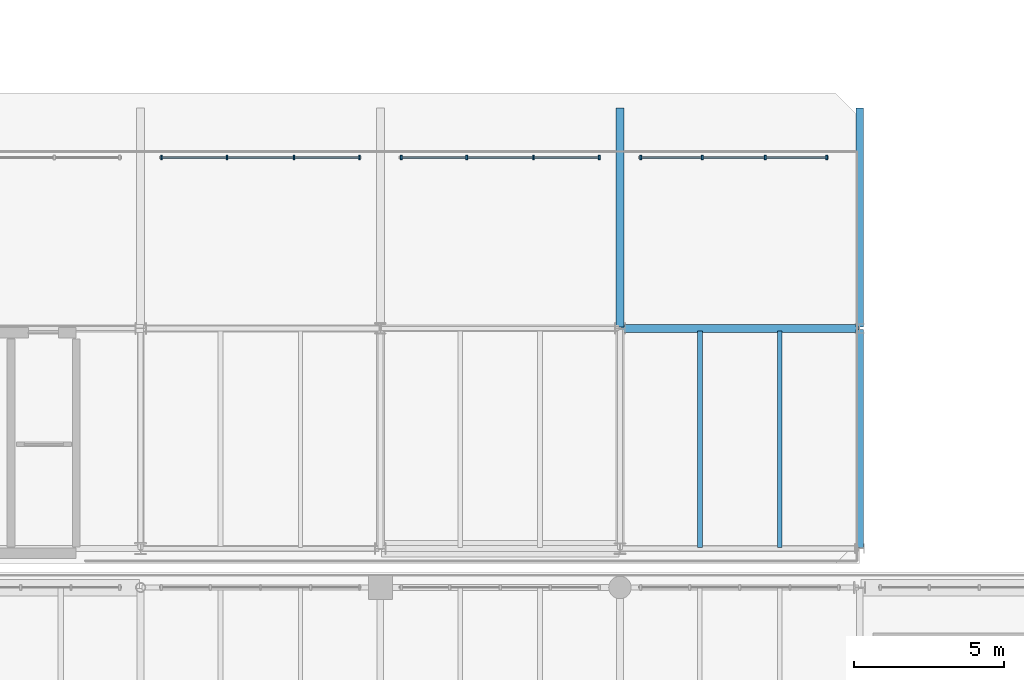
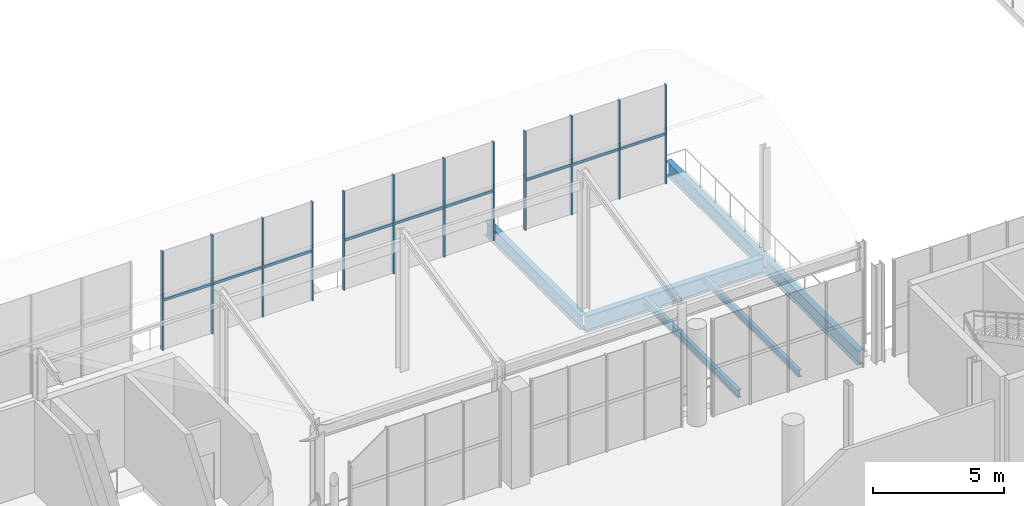
# One storey, part 35 of 70: 21 members, 6 beams, 3 elements without a shape of their own.
"""IFC4 building model written with IfcOpenShell, lengths in metres."""

import ifcopenshell
import ifcopenshell.guid

model = None  # the IFC model being written
_history = None  # IfcOwnerHistory: only IFC2X3 demands one
_inside = {}  # id of a spatial element -> (the spatial element, [elements in it])
_under = {}  # id of a project, library or spatial element -> (it, [spatial elements below it])
_declared = {}  # id of a project -> (the project, [libraries it declares])
_typed = {}  # id of a type object -> (the type object, [elements of that type])
_made_of = {}  # id of a material, layer set ... -> (it, [elements and type objects made of it])


def new_model(schema):
    """Start an empty IFC model of exactly this schema.

    Asked for "IFC4X3", IfcOpenShell would pick the latest addendum, in which some entities
    have other attributes; the version numbers below select the first issue.
    IFC2X3 requires an IfcOwnerHistory on every rooted entity: one is made here for all.
    """
    global model, _history
    if schema == "IFC4X3":
        model = ifcopenshell.file(schema_version=(4, 3, 0, 0))
    else:
        model = ifcopenshell.file(schema=schema)
    _inside.clear()
    _under.clear()
    _declared.clear()
    _typed.clear()
    _made_of.clear()
    _history = None
    if model.schema == "IFC2X3":
        org = make("IfcOrganization", Name="unknown")
        user = make(
            "IfcPersonAndOrganization",
            ThePerson=make("IfcPerson", FamilyName="unknown"),
            TheOrganization=org,
        )
        app = make(
            "IfcApplication",
            ApplicationDeveloper=org,
            Version="unknown",
            ApplicationFullName="unknown",
            ApplicationIdentifier="unknown",
        )
        _history = make(
            "IfcOwnerHistory",
            OwningUser=user,
            OwningApplication=app,
            ChangeAction="ADDED",
            CreationDate=0,
        )
    return model


def make(cls, **values):
    """One entity of the class cls with the attributes given. An attribute that is None is left unset."""
    return model.create_entity(
        cls, **{name: value for name, value in values.items() if value is not None}
    )


def rooted(cls, **values):
    """An entity with a GlobalId (a new one), such as an element, a storey or a relation."""
    return make(cls, GlobalId=ifcopenshell.guid.new(), OwnerHistory=_history, **values)


def si_unit(unit_type, name, prefix=None):
    """IfcSIUnit, for example si_unit("LENGTHUNIT", "METRE", prefix="MILLI")."""
    return make("IfcSIUnit", UnitType=unit_type, Prefix=prefix, Name=name)


def assignment(units):
    """IfcUnitAssignment: the units of a project."""
    return None if units is None else make("IfcUnitAssignment", Units=units)


def point(xyz):
    """IfcCartesianPoint."""
    return None if xyz is None else make("IfcCartesianPoint", Coordinates=xyz)


def direction(xyz):
    """IfcDirection."""
    return None if xyz is None else make("IfcDirection", DirectionRatios=xyz)


def frame(location, z_axis=None, x_axis=None):
    """IfcAxis2Placement3D, a coordinate frame: its origin and axes. An axis left out is left unset."""
    return make(
        "IfcAxis2Placement3D",
        Location=point(location),
        Axis=direction(z_axis),
        RefDirection=direction(x_axis),
    )


def frame_2d(location, x_axis=None):
    """IfcAxis2Placement2D, a coordinate frame in the plane: its origin and x axis."""
    return make(
        "IfcAxis2Placement2D", Location=point(location), RefDirection=direction(x_axis)
    )


def origin():
    """The frame at (0, 0, 0) with its axes left unset."""
    return frame((0.0, 0.0, 0.0))


def origin_2d():
    """The frame at (0, 0) in the plane with its x axis left unset."""
    return frame_2d((0.0, 0.0))


def place(relative_to, where):
    """IfcLocalPlacement: puts the frame where relative to a parent placement (None: the world)."""
    return make(
        "IfcLocalPlacement", PlacementRelTo=relative_to, RelativePlacement=where
    )


def context(
    kind, dimensions, precision=None, world=None, true_north=None, identifier=None
):
    """IfcGeometricRepresentationContext, for example the 3D "Model" context."""
    return make(
        "IfcGeometricRepresentationContext",
        ContextIdentifier=identifier,
        ContextType=kind,
        CoordinateSpaceDimension=dimensions,
        Precision=precision,
        WorldCoordinateSystem=world,
        TrueNorth=true_north,
    )


def subcontext(parent, identifier, kind, view, scale=None):
    """IfcGeometricRepresentationSubContext, for example "Body" below "Model"."""
    return make(
        "IfcGeometricRepresentationSubContext",
        ContextIdentifier=identifier,
        ContextType=kind,
        ParentContext=parent,
        TargetScale=scale,
        TargetView=view,
    )


def project(units=None, contexts=None):
    """IfcProject with its units and contexts."""
    return rooted(
        "IfcProject",
        Name="project",
        RepresentationContexts=contexts,
        UnitsInContext=assignment(units),
    )


def spatial(cls, under=None, at=None, **own):
    """A site, building, storey or space (cls), placed at a placement, below another one or the project."""
    s = rooted(cls, ObjectPlacement=at, **own)
    if under is not None:
        _under.setdefault(under.id(), (under, []))[1].append(s)
    return s


def profile(cls, at=None, kind="AREA", **sizes):
    """A parametric profile (cls). Its sizes go by their IFC names, for example OverallWidth=200.0."""
    return make(cls, ProfileType=kind, Position=at, **sizes)


def rectangle(**sizes):
    """IfcRectangleProfileDef."""
    return profile("IfcRectangleProfileDef", **sizes)


def i_section(**sizes):
    """IfcIShapeProfileDef."""
    return profile("IfcIShapeProfileDef", **sizes)


def extrude(swept, where, along, depth):
    """IfcExtrudedAreaSolid: the profile swept, set in the frame where, extruded along a direction by depth."""
    return make(
        "IfcExtrudedAreaSolid",
        SweptArea=swept,
        Position=where,
        ExtrudedDirection=direction(along),
        Depth=depth,
    )


def shape(context_of_items, identifier, shape_type, items):
    """IfcShapeRepresentation: the items that make up one representation, for example the "Body"."""
    return make(
        "IfcShapeRepresentation",
        ContextOfItems=context_of_items,
        RepresentationIdentifier=identifier,
        RepresentationType=shape_type,
        Items=items,
    )


def material(Name=None, Category=None):
    """IfcMaterial."""
    return make("IfcMaterial", Name=Name, Category=Category)


def material_profile(
    of_material, cross_section, Name=None, Category=None, Priority=None
):
    """IfcMaterialProfile: a cross section and its material."""
    return make(
        "IfcMaterialProfile",
        Name=Name,
        Material=of_material,
        Profile=cross_section,
        Priority=Priority,
        Category=Category,
    )


def profile_set(profiles, Name=None, composite=None):
    """IfcMaterialProfileSet."""
    return make(
        "IfcMaterialProfileSet",
        Name=Name,
        MaterialProfiles=profiles,
        CompositeProfile=composite,
    )


def made_of(thing, what):
    """Note that an element or type object is made of a material, layer set ...; save() writes the relation."""
    if what is not None:
        _made_of.setdefault(what.id(), (what, []))[1].append(thing)
    return thing


def type_object(cls, material=None, **own):
    """A type object (cls), such as IfcWallType, which elements share."""
    return made_of(rooted(cls, **own), material)


def element(
    cls,
    number,
    at=None,
    inside=None,
    cuts=None,
    type_object=None,
    material=None,
    context=None,
    identifier="Body",
    shape_type=None,
    held_by="IfcProductDefinitionShape",
    body=None,
    shapes=None,
    **own,
):
    """One element of the class cls, such as IfcWall. Its Tag is "e" and its number.

    at: its placement. inside: the storey or other place that contains it. cuts: it is an
    opening in that element (IfcRelVoidsElement). A single representation is given by context,
    identifier, shape_type and body (its items); several are given by shapes. held_by: the class
    of the entity that holds the representations. save() writes the other relations.
    """
    e = rooted(cls, Tag="e%d" % number, ObjectPlacement=at, **own)
    if body is not None:
        shapes = [shape(context, identifier, shape_type, body)]
    if shapes is not None:
        e.Representation = make(held_by, Representations=shapes)
    if inside is not None:
        _inside.setdefault(inside.id(), (inside, []))[1].append(e)
    if cuts is not None:
        rooted(
            "IfcRelVoidsElement", RelatingBuildingElement=cuts, RelatedOpeningElement=e
        )
    if type_object is not None:
        _typed.setdefault(type_object.id(), (type_object, []))[1].append(e)
    return made_of(e, material)


def aggregate(whole, parts):
    """IfcRelAggregates: a whole, such as a stair, and the parts it consists of."""
    return rooted("IfcRelAggregates", RelatingObject=whole, RelatedObjects=parts)


def save(model, path):
    """Write the relations noted so far, then the file.

    IfcRelAggregates (storeys below a building ...), IfcRelContainedInSpatialStructure (elements
    in a storey), IfcRelDefinesByType, IfcRelAssociatesMaterial and IfcRelDeclares: one each for
    every whole, place, type object, material and project.
    """
    for whole, parts in _under.values():
        aggregate(whole, parts)
    for where, things in _inside.values():
        rooted(
            "IfcRelContainedInSpatialStructure",
            RelatedElements=things,
            RelatingStructure=where,
        )
    for kind, things in _typed.values():
        rooted("IfcRelDefinesByType", RelatedObjects=things, RelatingType=kind)
    for what, things in _made_of.values():
        rooted("IfcRelAssociatesMaterial", RelatedObjects=things, RelatingMaterial=what)
    for by, libraries in _declared.values():
        rooted("IfcRelDeclares", RelatingContext=by, RelatedDefinitions=libraries)
    model.write(path)


model = new_model("IFC4")

# Units and contexts
model_context = context("Model", 3, precision=1e-05, world=origin(), true_north=direction((0.0, 1.0)))
body_context = subcontext(model_context, "Body", "Model", "MODEL_VIEW")
ifc_project = project(units=[si_unit("LENGTHUNIT", "METRE"), si_unit("AREAUNIT", "SQUARE_METRE"), si_unit("VOLUMEUNIT", "CUBIC_METRE"), si_unit("PLANEANGLEUNIT", "RADIAN"), si_unit("MASSUNIT", "GRAM", prefix="KILO")], contexts=[model_context])

# Site, building, storey
site_placement = place(None, origin())
site = spatial("IfcSite", under=ifc_project, at=site_placement, CompositionType="ELEMENT")
building_placement = place(site_placement, origin())
building = spatial("IfcBuilding", under=site, at=building_placement, Name="Brisemont Oceanarium", CompositionType="ELEMENT")
storey_placement = place(building_placement, frame((0.0, 0.0, 10.199951171875)))
storey = spatial("IfcBuildingStorey", under=building, at=storey_placement, Name="L02", CompositionType="ELEMENT", Elevation=10.199951171875)

# Beams
ifc_material_1 = material(Name="Structural Steel ASTM A992 Gr.50", Category="steel")
ifc_material_profile_1 = material_profile(ifc_material_1, i_section(OverallWidth=0.1650390625, OverallDepth=0.31005859375, WebThickness=0.005859375, FlangeThickness=0.009765625, FilletRadius=0.008056640625, at=origin_2d()), Name="W12X26")
ifc_profile_set_1 = profile_set([ifc_material_profile_1], Name="Structural Steel ASTM A992 Gr.50")
beam_type_1 = type_object("IfcBeamType", Name="BM-W12X26", PredefinedType="JOIST", material=ifc_profile_set_1)
beam_1_placement = place(storey_placement, frame((93.333251953125, 80.68994140625, -0.454833984375), z_axis=(0.0, 1.0, 0.0), x_axis=(-1.0, 0.0, 0.0)))
element("IfcBeam", 1, at=beam_1_placement, inside=storey, type_object=beam_type_1, Name="V7E L02 secondary floor beam", PredefinedType="JOIST", context=body_context, shape_type="SweptSolid", body=[
    extrude(i_section(OverallWidth=0.1650390625, OverallDepth=0.31005859375, WebThickness=0.005859375, FlangeThickness=0.009765625, FilletRadius=0.008056640625, at=origin_2d()), origin(), (0.0, 0.0, 1.0), 7.219970703125),
])
ifc_material_2 = material(Name="Structural Steel ASTM A992 Gr.50", Category="steel")
ifc_material_profile_2 = material_profile(ifc_material_2, i_section(OverallWidth=0.1708984375, OverallDepth=0.35107421875, WebThickness=0.0068359375, FlangeThickness=0.009765625, FilletRadius=0.010009765625, at=origin_2d()), Name="W14X30")
ifc_profile_set_2 = profile_set([ifc_material_profile_2], Name="Structural Steel ASTM A992 Gr.50")
beam_type_2 = type_object("IfcBeamType", Name="BM-W14X30", PredefinedType="JOIST", material=ifc_profile_set_2)
beam_2_placement = place(storey_placement, frame((90.666748046875, 80.68994140625, -0.475341796875), z_axis=(0.0, 1.0, 0.0), x_axis=(-1.0, 0.0, 0.0)))
element("IfcBeam", 2, at=beam_2_placement, inside=storey, type_object=beam_type_2, Name="V7E L02 secondary floor beam", PredefinedType="JOIST", context=body_context, shape_type="SweptSolid", body=[
    extrude(i_section(OverallWidth=0.1708984375, OverallDepth=0.35107421875, WebThickness=0.0068359375, FlangeThickness=0.009765625, FilletRadius=0.010009765625, at=origin_2d()), origin(), (0.0, 0.0, 1.0), 7.219970703125),
])
ifc_material_3 = material(Name="Structural Steel ASTM A992 Gr.50", Category="steel")
ifc_material_profile_3 = material_profile(ifc_material_3, i_section(OverallWidth=0.2529296875, OverallDepth=0.677978515625, WebThickness=0.01171875, FlangeThickness=0.016357421875, FilletRadius=0.014892578125, at=origin_2d()), Name="W27X84")
ifc_profile_set_3 = profile_set([ifc_material_profile_3], Name="Structural Steel ASTM A992 Gr.50")
beam_type_3 = type_object("IfcBeamType", Name="BM-W27X84", PredefinedType="BEAM", material=ifc_profile_set_3)
beam_3_placement = place(storey_placement, frame((96.0, 88.0400390625, -0.638916015625), z_axis=(0.0, 1.0, 0.0), x_axis=(-1.0, 0.0, 0.0)))
element("IfcBeam", 3, at=beam_3_placement, inside=storey, type_object=beam_type_3, Name="V7E L02 NS girder", PredefinedType="BEAM", context=body_context, shape_type="SweptSolid", body=[
    extrude(i_section(OverallWidth=0.2529296875, OverallDepth=0.677978515625, WebThickness=0.01171875, FlangeThickness=0.016357421875, FilletRadius=0.014892578125, at=origin_2d()), origin(), (0.0, 0.0, 1.0), 7.320068359375),
])
ifc_material_4 = material(Name="Structural Steel ASTM A992 Gr.50", Category="steel")
ifc_material_profile_4 = material_profile(ifc_material_4, i_section(OverallWidth=0.25390625, OverallDepth=0.68310546875, WebThickness=0.012451171875, FlangeThickness=0.018798828125, FilletRadius=0.014892578125, at=origin_2d()), Name="W27X94")
ifc_profile_set_4 = profile_set([ifc_material_profile_4], Name="Structural Steel ASTM A992 Gr.50")
beam_type_4 = type_object("IfcBeamType", Name="BM-W27X94", PredefinedType="BEAM", material=ifc_profile_set_4)
beam_4_placement = place(storey_placement, frame((88.0, 88.0400390625, -0.641357421875), z_axis=(0.0, 1.0, 0.0), x_axis=(-1.0, 0.0, 0.0)))
element("IfcBeam", 4, at=beam_4_placement, inside=storey, type_object=beam_type_4, Name="V7E L02 NS girder", PredefinedType="BEAM", context=body_context, shape_type="SweptSolid", body=[
    extrude(i_section(OverallWidth=0.25390625, OverallDepth=0.68310546875, WebThickness=0.012451171875, FlangeThickness=0.018798828125, FilletRadius=0.014892578125, at=origin_2d()), origin(), (0.0, 0.0, 1.0), 7.320068359375),
])
beam_5_placement = place(storey_placement, frame((96.0, 80.68994140625, -0.641357421875), z_axis=(0.0, 1.0, 0.0), x_axis=(-1.0, 0.0, 0.0)))
element("IfcBeam", 5, at=beam_5_placement, inside=storey, type_object=beam_type_4, Name="V7E L02 NS girder", PredefinedType="BEAM", context=body_context, shape_type="SweptSolid", body=[
    extrude(i_section(OverallWidth=0.25390625, OverallDepth=0.68310546875, WebThickness=0.012451171875, FlangeThickness=0.018798828125, FilletRadius=0.014892578125, at=origin_2d()), origin(), (0.0, 0.0, 1.0), 7.27001953125),
])
ifc_material_5 = material(Name="Structural Steel ASTM A992 Gr.50", Category="steel")
ifc_material_profile_5 = material_profile(ifc_material_5, i_section(OverallWidth=0.26708984375, OverallDepth=0.761962890625, WebThickness=0.014404296875, FlangeThickness=0.021484375, FilletRadius=0.01611328125, at=origin_2d()), Name="W30X116")
ifc_profile_set_5 = profile_set([ifc_material_profile_5], Name="Structural Steel ASTM A992 Gr.50")
beam_type_5 = type_object("IfcBeamType", Name="BM-W30X116", PredefinedType="BEAM", material=ifc_profile_set_5)
beam_6_placement = place(storey_placement, frame((88.0400390625, 88.0, -0.680908203125), z_axis=(1.0, 0.0, 0.0), x_axis=(0.0, 1.0, 0.0)))
element("IfcBeam", 6, at=beam_6_placement, inside=storey, type_object=beam_type_5, Name="V7E L02 EW girder", PredefinedType="BEAM", context=body_context, shape_type="SweptSolid", body=[
    extrude(i_section(OverallWidth=0.26708984375, OverallDepth=0.761962890625, WebThickness=0.014404296875, FlangeThickness=0.021484375, FilletRadius=0.01611328125, at=origin_2d()), origin(), (0.0, 0.0, 1.0), 7.919921875),
])

# Curtain wall, members
ifc_material_6 = material(Name="Anodized Extruded Aluminum 6063-T6", Category="aluminium")
curtain_wall_type = type_object("IfcCurtainWallType", Name="CW-CLR-48X34", PredefinedType="NOTDEFINED", material=ifc_material_6)
curtain_wall_1_placement = place(storey_placement, origin())
curtain_wall_1 = element("IfcCurtainWall", 7, at=curtain_wall_1_placement, inside=storey, type_object=curtain_wall_type, Name="CW-22 curtain wall CW-V7E-N-L02-03", PredefinedType="NOTDEFINED")
ifc_material_7 = material(Name="Anodized Extruded Aluminum 6063-T6", Category="aluminium")
ifc_material_profile_6 = material_profile(ifc_material_7, rectangle(XDim=0.06005859375, YDim=0.14990234375, at=origin_2d()), Name="CWM-60X150")
ifc_profile_set_6 = profile_set([ifc_material_profile_6], Name="Anodized Extruded Aluminum 6063-T6")
member_type_1 = type_object("IfcMemberType", Name="MEM-CWM-60", PredefinedType="MULLION", material=ifc_profile_set_6)
member_1_placement = place(storey_placement, frame((72.695068359375, 93.699951171875, 0.0), z_axis=(0.0, 0.0, 1.0), x_axis=(1.0, 0.0, 0.0)))
member_1 = element("IfcMember", 8, at=member_1_placement, type_object=member_type_1, Name="CW-V7E-N-L02-03 mullion 1", PredefinedType="MULLION", context=body_context, shape_type="SweptSolid", body=[
    extrude(rectangle(XDim=0.06005859375, YDim=0.14990234375, at=origin_2d()), origin(), (0.0, 0.0, 1.0), 4.60009765625),
])
member_2_placement = place(storey_placement, frame((74.88330078125, 93.699951171875, 0.0), z_axis=(0.0, 0.0, 1.0), x_axis=(1.0, 0.0, 0.0)))
member_2 = element("IfcMember", 9, at=member_2_placement, type_object=member_type_1, Name="CW-V7E-N-L02-03 mullion 2", PredefinedType="MULLION", context=body_context, shape_type="SweptSolid", body=[
    extrude(rectangle(XDim=0.06005859375, YDim=0.14990234375, at=origin_2d()), origin(), (0.0, 0.0, 1.0), 4.60009765625),
])
member_3_placement = place(storey_placement, frame((77.11669921875, 93.699951171875, 0.0), z_axis=(0.0, 0.0, 1.0), x_axis=(1.0, 0.0, 0.0)))
member_3 = element("IfcMember", 10, at=member_3_placement, type_object=member_type_1, Name="CW-V7E-N-L02-03 mullion 3", PredefinedType="MULLION", context=body_context, shape_type="SweptSolid", body=[
    extrude(rectangle(XDim=0.06005859375, YDim=0.14990234375, at=origin_2d()), origin(), (0.0, 0.0, 1.0), 4.60009765625),
])
member_4_placement = place(storey_placement, frame((79.304931640625, 93.699951171875, 0.0), z_axis=(0.0, 0.0, 1.0), x_axis=(1.0, 0.0, 0.0)))
member_4 = element("IfcMember", 11, at=member_4_placement, type_object=member_type_1, Name="CW-V7E-N-L02-03 mullion 4", PredefinedType="MULLION", context=body_context, shape_type="SweptSolid", body=[
    extrude(rectangle(XDim=0.06005859375, YDim=0.14990234375, at=origin_2d()), origin(), (0.0, 0.0, 1.0), 4.60009765625),
])

curtain_wall_2_placement = place(storey_placement, origin())
curtain_wall_2 = element("IfcCurtainWall", 12, at=curtain_wall_2_placement, inside=storey, type_object=curtain_wall_type, Name="CW-22 curtain wall CW-V7E-N-L02-04", PredefinedType="NOTDEFINED")
member_5_placement = place(storey_placement, frame((80.695068359375, 93.699951171875, 0.0), z_axis=(0.0, 0.0, 1.0), x_axis=(1.0, 0.0, 0.0)))
member_5 = element("IfcMember", 13, at=member_5_placement, type_object=member_type_1, Name="CW-V7E-N-L02-04 mullion 1", PredefinedType="MULLION", context=body_context, shape_type="SweptSolid", body=[
    extrude(rectangle(XDim=0.06005859375, YDim=0.14990234375, at=origin_2d()), origin(), (0.0, 0.0, 1.0), 4.60009765625),
])
member_6_placement = place(storey_placement, frame((82.88330078125, 93.699951171875, 0.0), z_axis=(0.0, 0.0, 1.0), x_axis=(1.0, 0.0, 0.0)))
member_6 = element("IfcMember", 14, at=member_6_placement, type_object=member_type_1, Name="CW-V7E-N-L02-04 mullion 2", PredefinedType="MULLION", context=body_context, shape_type="SweptSolid", body=[
    extrude(rectangle(XDim=0.06005859375, YDim=0.14990234375, at=origin_2d()), origin(), (0.0, 0.0, 1.0), 4.60009765625),
])
member_7_placement = place(storey_placement, frame((85.11669921875, 93.699951171875, 0.0), z_axis=(0.0, 0.0, 1.0), x_axis=(1.0, 0.0, 0.0)))
member_7 = element("IfcMember", 15, at=member_7_placement, type_object=member_type_1, Name="CW-V7E-N-L02-04 mullion 3", PredefinedType="MULLION", context=body_context, shape_type="SweptSolid", body=[
    extrude(rectangle(XDim=0.06005859375, YDim=0.14990234375, at=origin_2d()), origin(), (0.0, 0.0, 1.0), 4.60009765625),
])
member_8_placement = place(storey_placement, frame((87.304931640625, 93.699951171875, 0.0), z_axis=(0.0, 0.0, 1.0), x_axis=(1.0, 0.0, 0.0)))
member_8 = element("IfcMember", 16, at=member_8_placement, type_object=member_type_1, Name="CW-V7E-N-L02-04 mullion 4", PredefinedType="MULLION", context=body_context, shape_type="SweptSolid", body=[
    extrude(rectangle(XDim=0.06005859375, YDim=0.14990234375, at=origin_2d()), origin(), (0.0, 0.0, 1.0), 4.60009765625),
])

curtain_wall_3_placement = place(storey_placement, origin())
curtain_wall_3 = element("IfcCurtainWall", 17, at=curtain_wall_3_placement, inside=storey, type_object=curtain_wall_type, Name="CW-22 curtain wall CW-V7E-N-L02-05", PredefinedType="NOTDEFINED")
member_9_placement = place(storey_placement, frame((88.695068359375, 93.699951171875, 0.0), z_axis=(0.0, 0.0, 1.0), x_axis=(1.0, 0.0, 0.0)))
member_9 = element("IfcMember", 18, at=member_9_placement, type_object=member_type_1, Name="CW-V7E-N-L02-05 mullion 1", PredefinedType="MULLION", context=body_context, shape_type="SweptSolid", body=[
    extrude(rectangle(XDim=0.06005859375, YDim=0.14990234375, at=origin_2d()), origin(), (0.0, 0.0, 1.0), 4.60009765625),
])
member_10_placement = place(storey_placement, frame((90.75, 93.699951171875, 0.0), z_axis=(0.0, 0.0, 1.0), x_axis=(1.0, 0.0, 0.0)))
member_10 = element("IfcMember", 19, at=member_10_placement, type_object=member_type_1, Name="CW-V7E-N-L02-05 mullion 2", PredefinedType="MULLION", context=body_context, shape_type="SweptSolid", body=[
    extrude(rectangle(XDim=0.06005859375, YDim=0.14990234375, at=origin_2d()), origin(), (0.0, 0.0, 1.0), 4.60009765625),
])
member_11_placement = place(storey_placement, frame((92.85009765625, 93.699951171875, 0.0), z_axis=(0.0, 0.0, 1.0), x_axis=(1.0, 0.0, 0.0)))
member_11 = element("IfcMember", 20, at=member_11_placement, type_object=member_type_1, Name="CW-V7E-N-L02-05 mullion 3", PredefinedType="MULLION", context=body_context, shape_type="SweptSolid", body=[
    extrude(rectangle(XDim=0.06005859375, YDim=0.14990234375, at=origin_2d()), origin(), (0.0, 0.0, 1.0), 4.60009765625),
])
member_12_placement = place(storey_placement, frame((94.905029296875, 93.699951171875, 0.0), z_axis=(0.0, 0.0, 1.0), x_axis=(1.0, 0.0, 0.0)))
member_12 = element("IfcMember", 21, at=member_12_placement, type_object=member_type_1, Name="CW-V7E-N-L02-05 mullion 4", PredefinedType="MULLION", context=body_context, shape_type="SweptSolid", body=[
    extrude(rectangle(XDim=0.06005859375, YDim=0.14990234375, at=origin_2d()), origin(), (0.0, 0.0, 1.0), 4.60009765625),
])

# Member
ifc_material_8 = material(Name="Anodized Extruded Aluminum 6063-T6", Category="aluminium")
ifc_material_profile_7 = material_profile(ifc_material_8, rectangle(XDim=0.06005859375, YDim=0.1201171875, at=origin_2d()), Name="CWT-60X120")
ifc_profile_set_7 = profile_set([ifc_material_profile_7], Name="Anodized Extruded Aluminum 6063-T6")
member_type_2 = type_object("IfcMemberType", Name="MEM-CWT-60", PredefinedType="USERDEFINED", material=ifc_profile_set_7)
member_13_placement = place(storey_placement, frame((72.6650390625, 93.699951171875, 2.300048828125), z_axis=(1.0, 0.0, 0.0), x_axis=(0.0, 1.0, 0.0)))
member_13 = element("IfcMember", 22, at=member_13_placement, type_object=member_type_2, Name="CW-V7E-N-L02-03 transom 1.1", ObjectType="TRANSOM", PredefinedType="USERDEFINED", context=body_context, shape_type="SweptSolid", body=[
    extrude(rectangle(XDim=0.06005859375, YDim=0.1201171875, at=origin_2d()), origin(), (0.0, 0.0, 1.0), 2.203369140625),
])

member_14_placement = place(storey_placement, frame((74.898193359375, 93.699951171875, 2.300048828125), z_axis=(1.0, 0.0, 0.0), x_axis=(0.0, 1.0, 0.0)))
member_14 = element("IfcMember", 23, at=member_14_placement, type_object=member_type_2, Name="CW-V7E-N-L02-03 transom 2.1", ObjectType="TRANSOM", PredefinedType="USERDEFINED", context=body_context, shape_type="SweptSolid", body=[
    extrude(rectangle(XDim=0.06005859375, YDim=0.1201171875, at=origin_2d()), origin(), (0.0, 0.0, 1.0), 2.20361328125),
])

member_15_placement = place(storey_placement, frame((77.131591796875, 93.699951171875, 2.300048828125), z_axis=(1.0, 0.0, 0.0), x_axis=(0.0, 1.0, 0.0)))
member_15 = element("IfcMember", 24, at=member_15_placement, type_object=member_type_2, Name="CW-V7E-N-L02-03 transom 3.1", ObjectType="TRANSOM", PredefinedType="USERDEFINED", context=body_context, shape_type="SweptSolid", body=[
    extrude(rectangle(XDim=0.06005859375, YDim=0.1201171875, at=origin_2d()), origin(), (0.0, 0.0, 1.0), 2.203369140625),
])

aggregate(curtain_wall_1, [member_1, member_2, member_3, member_4, member_13, member_14, member_15])

member_16_placement = place(storey_placement, frame((80.6650390625, 93.699951171875, 2.300048828125), z_axis=(1.0, 0.0, 0.0), x_axis=(0.0, 1.0, 0.0)))
member_16 = element("IfcMember", 25, at=member_16_placement, type_object=member_type_2, Name="CW-V7E-N-L02-04 transom 1.1", ObjectType="TRANSOM", PredefinedType="USERDEFINED", context=body_context, shape_type="SweptSolid", body=[
    extrude(rectangle(XDim=0.06005859375, YDim=0.1201171875, at=origin_2d()), origin(), (0.0, 0.0, 1.0), 2.203369140625),
])

member_17_placement = place(storey_placement, frame((82.898193359375, 93.699951171875, 2.300048828125), z_axis=(1.0, 0.0, 0.0), x_axis=(0.0, 1.0, 0.0)))
member_17 = element("IfcMember", 26, at=member_17_placement, type_object=member_type_2, Name="CW-V7E-N-L02-04 transom 2.1", ObjectType="TRANSOM", PredefinedType="USERDEFINED", context=body_context, shape_type="SweptSolid", body=[
    extrude(rectangle(XDim=0.06005859375, YDim=0.1201171875, at=origin_2d()), origin(), (0.0, 0.0, 1.0), 2.20361328125),
])

member_18_placement = place(storey_placement, frame((85.131591796875, 93.699951171875, 2.300048828125), z_axis=(1.0, 0.0, 0.0), x_axis=(0.0, 1.0, 0.0)))
member_18 = element("IfcMember", 27, at=member_18_placement, type_object=member_type_2, Name="CW-V7E-N-L02-04 transom 3.1", ObjectType="TRANSOM", PredefinedType="USERDEFINED", context=body_context, shape_type="SweptSolid", body=[
    extrude(rectangle(XDim=0.06005859375, YDim=0.1201171875, at=origin_2d()), origin(), (0.0, 0.0, 1.0), 2.203369140625),
])

aggregate(curtain_wall_2, [member_5, member_6, member_7, member_8, member_16, member_17, member_18])

member_19_placement = place(storey_placement, frame((88.6650390625, 93.699951171875, 2.300048828125), z_axis=(1.0, 0.0, 0.0), x_axis=(0.0, 1.0, 0.0)))
member_19 = element("IfcMember", 28, at=member_19_placement, type_object=member_type_2, Name="CW-V7E-N-L02-05 transom 1.1", ObjectType="TRANSOM", PredefinedType="USERDEFINED", context=body_context, shape_type="SweptSolid", body=[
    extrude(rectangle(XDim=0.06005859375, YDim=0.1201171875, at=origin_2d()), origin(), (0.0, 0.0, 1.0), 2.070068359375),
])

member_20_placement = place(storey_placement, frame((90.764892578125, 93.699951171875, 2.300048828125), z_axis=(1.0, 0.0, 0.0), x_axis=(0.0, 1.0, 0.0)))
member_20 = element("IfcMember", 29, at=member_20_placement, type_object=member_type_2, Name="CW-V7E-N-L02-05 transom 2.1", ObjectType="TRANSOM", PredefinedType="USERDEFINED", context=body_context, shape_type="SweptSolid", body=[
    extrude(rectangle(XDim=0.06005859375, YDim=0.1201171875, at=origin_2d()), origin(), (0.0, 0.0, 1.0), 2.070068359375),
])

member_21_placement = place(storey_placement, frame((92.864990234375, 93.699951171875, 2.300048828125), z_axis=(1.0, 0.0, 0.0), x_axis=(0.0, 1.0, 0.0)))
member_21 = element("IfcMember", 30, at=member_21_placement, type_object=member_type_2, Name="CW-V7E-N-L02-05 transom 3.1", ObjectType="TRANSOM", PredefinedType="USERDEFINED", context=body_context, shape_type="SweptSolid", body=[
    extrude(rectangle(XDim=0.06005859375, YDim=0.1201171875, at=origin_2d()), origin(), (0.0, 0.0, 1.0), 2.070068359375),
])

aggregate(curtain_wall_3, [member_9, member_10, member_11, member_12, member_19, member_20, member_21])

save(model, "model.ifc")
